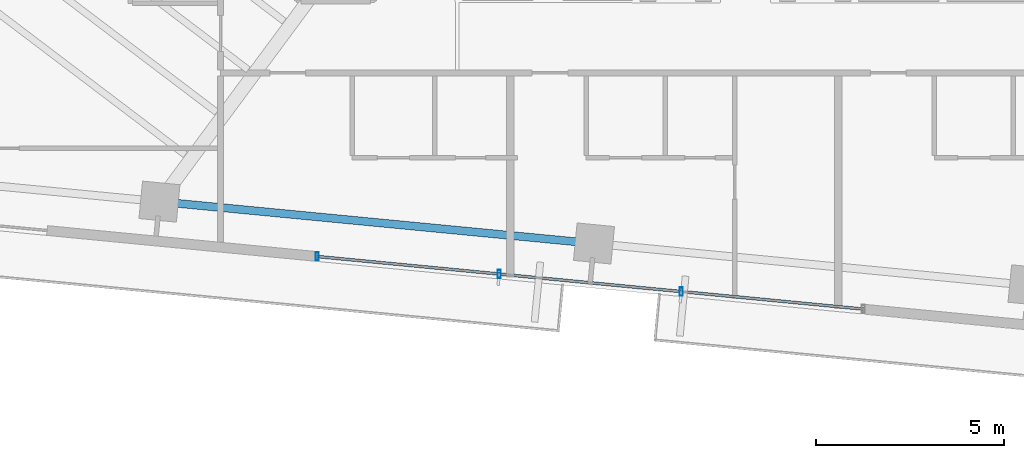
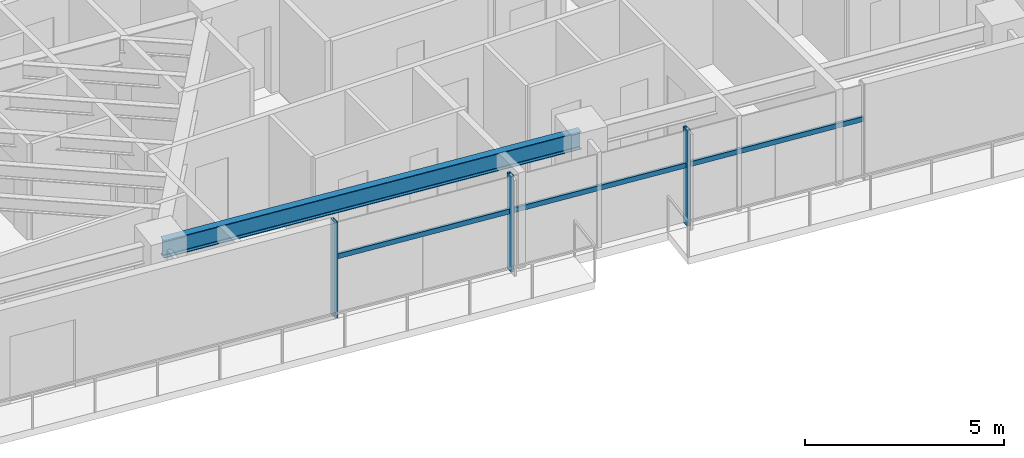
# One storey, part 4 of 19: 6 members, 1 beam, 1 element without a shape of its own.
"""IFC4 building model written with IfcOpenShell, lengths in metres."""

from ifc_helpers import new_model, si_unit, direction, frame, origin, origin_2d, place, context, subcontext, project, spatial, hollow_rectangle, i_section, extrude, source, transform, mapped, material, material_profile, profile_set, type_object, type_shapes, element, aggregate, save


model = new_model("IFC4")

# Units and contexts
model_context = context("Model", 3, precision=1e-05, world=origin(), true_north=direction((0.0, 1.0)))
body_context = subcontext(model_context, "Body", "Model", "MODEL_VIEW")
ifc_project = project(units=[si_unit("LENGTHUNIT", "METRE"), si_unit("AREAUNIT", "SQUARE_METRE"), si_unit("VOLUMEUNIT", "CUBIC_METRE"), si_unit("PLANEANGLEUNIT", "RADIAN"), si_unit("MASSUNIT", "GRAM", prefix="KILO")], contexts=[model_context])

# Site, building, storey
site_placement = place(None, origin())
site = spatial("IfcSite", under=ifc_project, at=site_placement, CompositionType="ELEMENT")
building_placement = place(site_placement, origin())
building = spatial("IfcBuilding", under=site, at=building_placement, Name="Astriad Promenade Condominiums", CompositionType="ELEMENT")
storey_placement = place(building_placement, frame((0.0, 0.0, 143.800048828125)))
storey = spatial("IfcBuildingStorey", under=building, at=storey_placement, Name="L41", CompositionType="ELEMENT", Elevation=143.800048828125)

# Beam
ifc_material_1 = material(Name="Steel ASTM A992 Grade 50", Category="steel")
ifc_material_profile_1 = material_profile(ifc_material_1, i_section(OverallWidth=0.210693359375, OverallDepth=0.53955078125, WebThickness=0.01171875, FlangeThickness=0.018798828125, FilletRadius=0.0166015625, at=origin_2d()), Name="W21X73")
ifc_profile_set_1 = profile_set([ifc_material_profile_1], Name="Steel ASTM A992 Grade 50")
beam_type = type_object("IfcBeamType", Name="STEEL SPANDREL BEAM W21X73", PredefinedType="SPANDREL", material=ifc_profile_set_1)
shared_shape_1 = source(origin(), body_context, "Body", "SweptSolid", [
    extrude(i_section(OverallWidth=0.210693359375, OverallDepth=0.53955078125, WebThickness=0.01171875, FlangeThickness=0.018798828125, FilletRadius=0.0166015625, at=origin_2d()), origin(), (0.0, 0.0, 1.0), 11.52001953125),
])
type_shapes(beam_type, [shared_shape_1])
beam_placement = place(storey_placement, frame((20.467041015625, 9.32763671875, 2.670166015625), z_axis=(0.9953953902, -0.095854145285, 0.0), x_axis=(0.095854145285, 0.9953953902, 0.0)))
element("IfcBeam", 1, at=beam_placement, inside=storey, type_object=beam_type, Name="Perimeter Spandrel Beam SP-S2-L41", PredefinedType="SPANDREL", context=body_context, shape_type="MappedRepresentation", body=[
    mapped(shared_shape_1, transform((0.0, 0.0, 0.0), scale=1.0)),
])

# Curtain wall, members
ifc_material_2 = material(Name="Anodised aluminium Black Dark Glass Unitised", Category="aluminium")
curtain_wall_type = type_object("IfcCurtainWallType", Name="CW-B34-DARK", PredefinedType="USERDEFINED", material=ifc_material_2)
curtain_wall_placement = place(storey_placement, origin())
curtain_wall = element("IfcCurtainWall", 2, at=curtain_wall_placement, inside=storey, type_object=curtain_wall_type, Name="CW-L41-S", ObjectType="UNITISED_CURTAIN_WALL", PredefinedType="USERDEFINED")
ifc_material_3 = material(Name="Anodised aluminium 6063-T6 Black", Category="aluminium")
ifc_material_profile_2 = material_profile(ifc_material_3, hollow_rectangle(XDim=0.0849609375, YDim=0.219970703125, WallThickness=0.0048828125, at=origin_2d()), Name="ALU-MUL-85X220")
ifc_profile_set_2 = profile_set([ifc_material_profile_2], Name="Anodised aluminium 6063-T6 Black")
member_type_1 = type_object("IfcMemberType", Name="MUL-ALU-MUL-85X220", PredefinedType="MULLION", material=ifc_profile_set_2)
shared_shape_2 = source(origin(), body_context, "Body", "SweptSolid", [
    extrude(hollow_rectangle(XDim=0.0849609375, YDim=0.219970703125, WallThickness=0.0048828125, at=origin_2d()), origin(), (0.0, 0.0, 1.0), 2.93994140625),
])
type_shapes(member_type_1, [shared_shape_2])
member_1_placement = place(storey_placement, frame((34.2919921875, 6.941650390625, 0.0), z_axis=(0.0, 0.0, 1.0), x_axis=(1.0, 0.0, 0.0)))
member_1 = element("IfcMember", 3, at=member_1_placement, type_object=member_type_1, Name="CW-L41-S-MUL-01", PredefinedType="MULLION", context=body_context, shape_type="MappedRepresentation", body=[
    mapped(shared_shape_2, transform((0.0, 0.0, 0.0), scale=1.0)),
])
member_2_placement = place(storey_placement, frame((29.454345703125, 7.407470703125, 0.0), z_axis=(0.0, 0.0, 1.0), x_axis=(1.0, 0.0, 0.0)))
member_2 = element("IfcMember", 4, at=member_2_placement, type_object=member_type_1, Name="CW-L41-S-MUL-02", PredefinedType="MULLION", context=body_context, shape_type="MappedRepresentation", body=[
    mapped(shared_shape_2, transform((0.0, 0.0, 0.0), scale=1.0)),
])
member_3_placement = place(storey_placement, frame((24.61669921875, 7.873291015625, 0.0), z_axis=(0.0, 0.0, 1.0), x_axis=(1.0, 0.0, 0.0)))
member_3 = element("IfcMember", 5, at=member_3_placement, type_object=member_type_1, Name="CW-L41-S-MUL-03", PredefinedType="MULLION", context=body_context, shape_type="MappedRepresentation", body=[
    mapped(shared_shape_2, transform((0.0, 0.0, 0.0), scale=1.0)),
])
ifc_material_profile_3 = material_profile(ifc_material_3, hollow_rectangle(XDim=0.074951171875, YDim=0.14990234375, WallThickness=0.004150390625, at=origin_2d()), Name="ALU-TRN-75X150")
ifc_profile_set_3 = profile_set([ifc_material_profile_3], Name="Anodised aluminium 6063-T6 Black")
member_type_2 = type_object("IfcMemberType", Name="TRN-ALU-TRN-75X150", PredefinedType="USERDEFINED", material=ifc_profile_set_3)
shared_shape_3 = source(origin(), body_context, "Body", "SweptSolid", [
    extrude(hollow_rectangle(XDim=0.074951171875, YDim=0.14990234375, WallThickness=0.004150390625, at=origin_2d()), origin(), (0.0, 0.0, 1.0), 4.860107421875),
])
type_shapes(member_type_2, [shared_shape_3])
member_4_placement = place(storey_placement, frame((39.129638671875, 6.475830078125, 1.82275390625), z_axis=(-0.995396042559, 0.095847370639, 0.0), x_axis=(-0.095847370639, -0.995396042559, 0.0)))
member_4 = element("IfcMember", 6, at=member_4_placement, type_object=member_type_2, Name="CW-L41-S-TRN-00-0", ObjectType="TRANSOM", PredefinedType="USERDEFINED", context=body_context, shape_type="MappedRepresentation", body=[
    mapped(shared_shape_3, transform((0.0, 0.0, 0.0), scale=1.0)),
])
member_5_placement = place(storey_placement, frame((34.2919921875, 6.941650390625, 1.82275390625), z_axis=(-0.995396042559, 0.095847370639, 0.0), x_axis=(-0.095847370639, -0.995396042559, 0.0)))
member_5 = element("IfcMember", 7, at=member_5_placement, type_object=member_type_2, Name="CW-L41-S-TRN-01-0", ObjectType="TRANSOM", PredefinedType="USERDEFINED", context=body_context, shape_type="MappedRepresentation", body=[
    mapped(shared_shape_3, transform((0.0, 0.0, 0.0), scale=1.0)),
])
member_6_placement = place(storey_placement, frame((29.454345703125, 7.407470703125, 1.82275390625), z_axis=(-0.995396042559, 0.095847370639, 0.0), x_axis=(-0.095847370639, -0.995396042559, 0.0)))
member_6 = element("IfcMember", 8, at=member_6_placement, type_object=member_type_2, Name="CW-L41-S-TRN-02-0", ObjectType="TRANSOM", PredefinedType="USERDEFINED", context=body_context, shape_type="MappedRepresentation", body=[
    mapped(shared_shape_3, transform((0.0, 0.0, 0.0), scale=1.0)),
])
aggregate(curtain_wall, [member_1, member_2, member_3, member_4, member_5, member_6])

save(model, "model.ifc")
